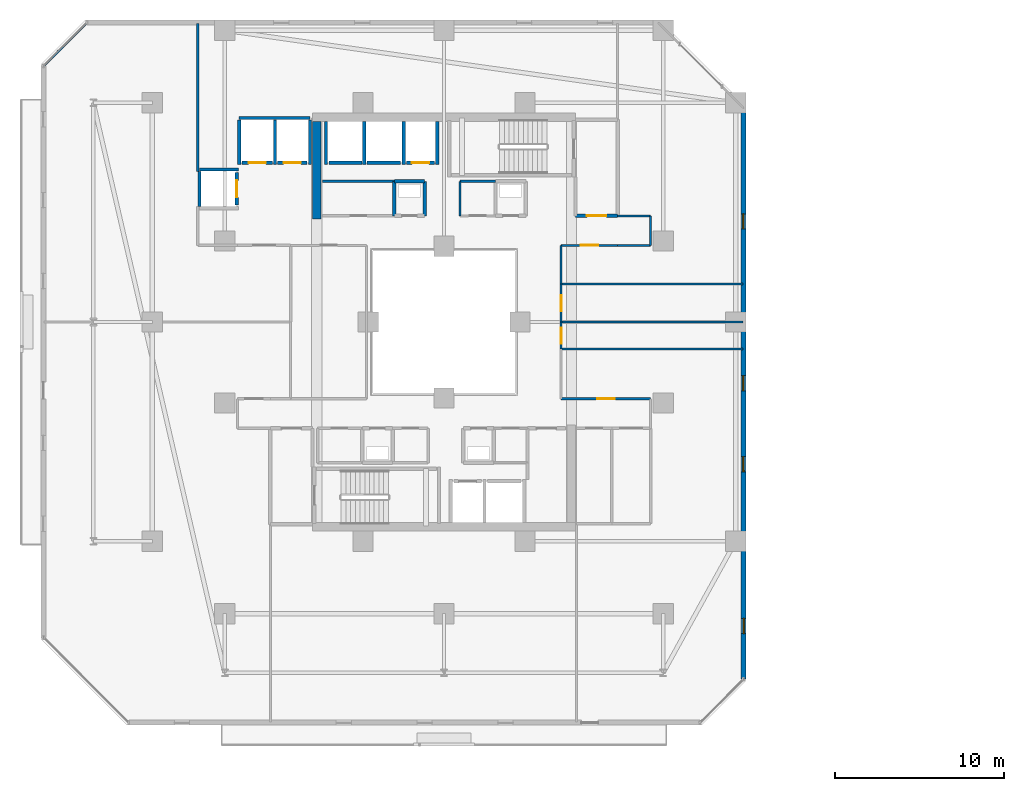
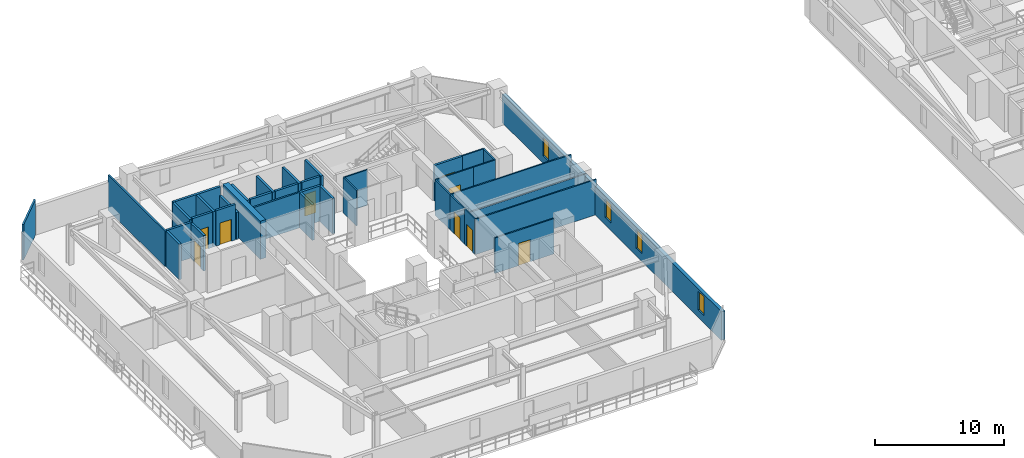
# One storey, part 20 of 33: 38 walls, 9 doors, 4 windows, 13 openings.
"""IFC4 building model written with IfcOpenShell, lengths in metres."""

from ifc_helpers import new_model, si_unit, direction, frame, frame_2d, origin, place, context, subcontext, project, spatial, rectangle, extrude, material, layer, layer_set, type_object, element, fill, save


model = new_model("IFC4")

# Units and contexts
model_context = context("Model", 3, precision=1e-05, world=origin(), true_north=direction((0.0, 1.0)))
body_context = subcontext(model_context, "Body", "Model", "MODEL_VIEW")
ifc_project = project(units=[si_unit("LENGTHUNIT", "METRE"), si_unit("AREAUNIT", "SQUARE_METRE"), si_unit("VOLUMEUNIT", "CUBIC_METRE"), si_unit("PLANEANGLEUNIT", "RADIAN"), si_unit("MASSUNIT", "GRAM", prefix="KILO")], contexts=[model_context])

# Site, building, storey
site_placement = place(None, origin())
site = spatial("IfcSite", under=ifc_project, at=site_placement, CompositionType="ELEMENT")
building_placement = place(site_placement, origin())
building = spatial("IfcBuilding", under=site, at=building_placement, Name="Thornwick Lancets Civic Towers", CompositionType="ELEMENT")
storey_placement = place(building_placement, frame((0.0, 0.0, 134.10009765625)))
storey = spatial("IfcBuildingStorey", under=building, at=storey_placement, Name="L35", CompositionType="ELEMENT", Elevation=134.10009765625)

# Wall, opening, door
ifc_material_1 = material(Name="Concrete blockwork C40/50", Category="masonry")
ifc_layer_1 = layer(ifc_material_1, 0.199951171875, Name="Concrete blockwork C40/50")
ifc_layer_set_1 = layer_set([ifc_layer_1], Name="Concrete blockwork C40/50")
wall_type_1 = type_object("IfcWallType", Name="WALL_COMP_200", PredefinedType="STANDARD", material=ifc_layer_set_1)
wall_1_placement = place(storey_placement, frame((24.919921875, 36.449951171875, 0.0), z_axis=(0.0, 0.0, 1.0), x_axis=(-1.0, 0.0, 0.0)))
wall_1 = element("IfcWall", 1, at=wall_1_placement, inside=storey, type_object=wall_type_1, Name="L35 Hoistway Front Wall FL-A2", PredefinedType="STANDARD", context=body_context, shape_type="SweptSolid", body=[
    extrude(rectangle(XDim=1.639892578125, YDim=0.199951171875, at=frame_2d((0.81982421875, 0.0))), origin(), (0.0, 0.0, 1.0), 3.33984375),
])
opening_1_placement = place(wall_1_placement, frame((0.31005859375, 0.0, 0.0)))
opening_1 = element("IfcOpeningElement", 2, at=opening_1_placement, cuts=wall_1, Name="Opening LD-FL-A2", PredefinedType="OPENING", context=body_context, shape_type="SweptSolid", body=[
    extrude(rectangle(XDim=1.02001953125, YDim=2.06005859375, at=frame_2d((0.510009765625, 1.030029296875))), frame((0.0, 0.10986328125, 0.0), z_axis=(0.0, -1.0, 0.0), x_axis=(1.0, 0.0, 0.0)), (0.0, 0.0, 1.0), 0.219970703125),
])
ifc_material_2 = material(Name="Brushed bronze stainless steel", Category="steel")
door_type_1 = type_object("IfcDoorType", Name="DOOR_LIFT_SLIDE", OperationType="SLIDING_TO_LEFT", PredefinedType="DOOR", material=ifc_material_2)
door_1_placement = place(opening_1_placement, origin())
door_1 = element("IfcDoor", 3, at=door_1_placement, inside=storey, type_object=door_type_1, Name="L35 Sliding Lift Landing Door LD-FL-A2", OperationType="SLIDING_TO_LEFT", OverallHeight=2.06005859375, OverallWidth=1.02001953125, PredefinedType="DOOR", context=body_context, shape_type="SweptSolid", body=[
    extrude(rectangle(XDim=1.02001953125, YDim=2.06005859375, at=frame_2d((0.510009765625, 1.030029296875))), frame((0.0, 0.02490234375, 0.0), z_axis=(0.0, -1.0, 0.0), x_axis=(1.0, 0.0, 0.0)), (0.0, 0.0, 1.0), 0.050048828125),
])
fill(opening_1, door_1)

# Walls
wall_2_placement = place(storey_placement, frame((22.919921875, 36.449951171875, 0.0), z_axis=(0.0, 0.0, 1.0), x_axis=(-1.0, 0.0, 0.0)))
element("IfcWall", 4, at=wall_2_placement, inside=storey, type_object=wall_type_1, Name="L35 Hoistway Front Wall PL-AH2", PredefinedType="STANDARD", context=body_context, shape_type="SweptSolid", body=[
    extrude(rectangle(XDim=1.989990234375, YDim=0.199951171875, at=frame_2d((0.9951171875, 0.0))), origin(), (0.0, 0.0, 1.0), 3.33984375),
])
wall_3_placement = place(storey_placement, frame((20.6201171875, 36.449951171875, 0.0), z_axis=(0.0, 0.0, 1.0), x_axis=(-1.0, 0.0, 0.0)))
element("IfcWall", 5, at=wall_3_placement, inside=storey, type_object=wall_type_1, Name="L35 Hoistway Front Wall PL-AH3", PredefinedType="STANDARD", context=body_context, shape_type="SweptSolid", body=[
    extrude(rectangle(XDim=1.940185546875, YDim=0.199951171875, at=frame_2d((0.97021484375, 0.0))), origin(), (0.0, 0.0, 1.0), 3.33984375),
])

# Wall, opening, door
wall_4_placement = place(storey_placement, frame((17.3701171875, 36.449951171875, 0.0), z_axis=(0.0, 0.0, 1.0), x_axis=(-1.0, 0.0, 0.0)))
wall_4 = element("IfcWall", 6, at=wall_4_placement, inside=storey, type_object=wall_type_1, Name="L35 Hoistway Front Wall PL-AM1", PredefinedType="STANDARD", context=body_context, shape_type="SweptSolid", body=[
    extrude(rectangle(XDim=1.740234375, YDim=0.199951171875, at=frame_2d((0.8701171875, 0.0))), origin(), (0.0, 0.0, 1.0), 3.33984375),
])
opening_2_placement = place(wall_4_placement, frame((0.360107421875, 0.0, 0.0)))
opening_2 = element("IfcOpeningElement", 7, at=opening_2_placement, cuts=wall_4, Name="Opening LD-PL-AM1", PredefinedType="OPENING", context=body_context, shape_type="SweptSolid", body=[
    extrude(rectangle(XDim=1.02001953125, YDim=2.06005859375, at=frame_2d((0.510009765625, 1.030029296875))), frame((0.0, 0.10986328125, 0.0), z_axis=(0.0, -1.0, 0.0), x_axis=(1.0, 0.0, 0.0)), (0.0, 0.0, 1.0), 0.219970703125),
])
door_2_placement = place(opening_2_placement, origin())
door_2 = element("IfcDoor", 8, at=door_2_placement, inside=storey, type_object=door_type_1, Name="L35 Sliding Lift Landing Door LD-PL-AM1", OperationType="SLIDING_TO_LEFT", OverallHeight=2.06005859375, OverallWidth=1.02001953125, PredefinedType="DOOR", context=body_context, shape_type="SweptSolid", body=[
    extrude(rectangle(XDim=1.02001953125, YDim=2.06005859375, at=frame_2d((0.510009765625, 1.030029296875))), frame((0.0, 0.02490234375, 0.0), z_axis=(0.0, -1.0, 0.0), x_axis=(1.0, 0.0, 0.0)), (0.0, 0.0, 1.0), 0.050048828125),
])
fill(opening_2, door_2)

wall_5_placement = place(storey_placement, frame((15.320068359375, 36.449951171875, 0.0), z_axis=(0.0, 0.0, 1.0), x_axis=(-1.0, 0.0, 0.0)))
wall_5 = element("IfcWall", 9, at=wall_5_placement, inside=storey, type_object=wall_type_1, Name="L35 Hoistway Front Wall PL-AM2", PredefinedType="STANDARD", context=body_context, shape_type="SweptSolid", body=[
    extrude(rectangle(XDim=1.7900390625, YDim=0.199951171875, at=frame_2d((0.89501953125, 0.0))), origin(), (0.0, 0.0, 1.0), 3.33984375),
])
opening_3_placement = place(wall_5_placement, frame((0.385009765625, 0.0, 0.0)))
opening_3 = element("IfcOpeningElement", 10, at=opening_3_placement, cuts=wall_5, Name="Opening LD-PL-AM2", PredefinedType="OPENING", context=body_context, shape_type="SweptSolid", body=[
    extrude(rectangle(XDim=1.02001953125, YDim=2.06005859375, at=frame_2d((0.510009765625, 1.030029296875))), frame((0.0, 0.10986328125, 0.0), z_axis=(0.0, -1.0, 0.0), x_axis=(1.0, 0.0, 0.0)), (0.0, 0.0, 1.0), 0.219970703125),
])
door_3_placement = place(opening_3_placement, origin())
door_3 = element("IfcDoor", 11, at=door_3_placement, inside=storey, type_object=door_type_1, Name="L35 Sliding Lift Landing Door LD-PL-AM2", OperationType="SLIDING_TO_LEFT", OverallHeight=2.06005859375, OverallWidth=1.02001953125, PredefinedType="DOOR", context=body_context, shape_type="SweptSolid", body=[
    extrude(rectangle(XDim=1.02001953125, YDim=2.06005859375, at=frame_2d((0.510009765625, 1.030029296875))), frame((0.0, 0.02490234375, 0.0), z_axis=(0.0, -1.0, 0.0), x_axis=(1.0, 0.0, 0.0)), (0.0, 0.0, 1.0), 0.050048828125),
])
fill(opening_3, door_3)

wall_6_placement = place(storey_placement, frame((13.199951171875, 33.929931640625, 0.0), z_axis=(0.0, 0.0, 1.0), x_axis=(0.0, 1.0, 0.0)))
wall_6 = element("IfcWall", 12, at=wall_6_placement, inside=storey, type_object=wall_type_1, Name="L35 Hoistway Front Wall PL-AM3", PredefinedType="STANDARD", context=body_context, shape_type="SweptSolid", body=[
    extrude(rectangle(XDim=1.940185546875, YDim=0.199951171875, at=frame_2d((0.97021484375, 0.0))), origin(), (0.0, 0.0, 1.0), 3.33984375),
])
opening_4_placement = place(wall_6_placement, frame((0.4599609375, 0.0, 0.0)))
opening_4 = element("IfcOpeningElement", 13, at=opening_4_placement, cuts=wall_6, Name="Opening LD-PL-AM3", PredefinedType="OPENING", context=body_context, shape_type="SweptSolid", body=[
    extrude(rectangle(XDim=1.02001953125, YDim=2.06005859375, at=frame_2d((0.510009765625, 1.030029296875))), frame((0.0, 0.10986328125, 0.0), z_axis=(0.0, -1.0, 0.0), x_axis=(1.0, 0.0, 0.0)), (0.0, 0.0, 1.0), 0.219970703125),
])
door_4_placement = place(opening_4_placement, origin())
door_4 = element("IfcDoor", 14, at=door_4_placement, inside=storey, type_object=door_type_1, Name="L35 Sliding Lift Landing Door LD-PL-AM3", OperationType="SLIDING_TO_LEFT", OverallHeight=2.06005859375, OverallWidth=1.02001953125, PredefinedType="DOOR", context=body_context, shape_type="SweptSolid", body=[
    extrude(rectangle(XDim=1.02001953125, YDim=2.06005859375, at=frame_2d((0.510009765625, 1.030029296875))), frame((0.0, 0.02490234375, 0.0), z_axis=(0.0, -1.0, 0.0), x_axis=(1.0, 0.0, 0.0)), (0.0, 0.0, 1.0), 0.050048828125),
])
fill(opening_4, door_4)

# Walls
for number, where, z_axis, x_axis, name in (
    (15, (25.10009765625, 36.35205078125, 0.0), (0.0, 0.0, 1.0), (0.0, 1.0, 0.0), "L35 Hoistway Shaft Wall FL-A2 E"),
    (16, (23.10009765625, 36.35205078125, 0.0), (0.0, 0.0, 1.0), (0.0, 1.0, 0.0), "L35 Hoistway Shaft Wall FL-A2 W"),
    (17, (20.77490234375, 36.35205078125, 0.0), (0.0, 0.0, 1.0), (0.0, 1.0, 0.0), "L35 Hoistway Shaft Wall PL-AH2 W"),
    (18, (18.5, 36.35205078125, 0.0), (0.0, 0.0, 1.0), (0.0, 1.0, 0.0), "L35 Hoistway Shaft Wall PL-AH3 W"),
):
    element("IfcWall", number, at=place(storey_placement, frame(where, z_axis=z_axis, x_axis=x_axis)), inside=storey, type_object=wall_type_1, Name=name, PredefinedType="STANDARD", context=body_context, shape_type="SweptSolid", body=[
        extrude(rectangle(XDim=2.535888671875, YDim=0.199951171875, at=frame_2d((1.26806640625, 0.0))), origin(), (0.0, 0.0, 1.0), 3.33984375),
    ])
wall_7_placement = place(storey_placement, frame((13.35205078125, 39.10009765625, 0.0), z_axis=(0.0, 0.0, 1.0), x_axis=(1.0, 0.0, 0.0)))
element("IfcWall", 19, at=wall_7_placement, inside=storey, type_object=wall_type_1, Name="L35 Hoistway Shaft Wall PL-AM1 N", PredefinedType="STANDARD", context=body_context, shape_type="SweptSolid", body=[
    extrude(rectangle(XDim=4.196044921875, YDim=0.199951171875, at=frame_2d((2.09814453125, 0.0))), origin(), (0.0, 0.0, 1.0), 3.33984375),
])
wall_8_placement = place(storey_placement, frame((17.550048828125, 36.35205078125, 0.0), z_axis=(0.0, 0.0, 1.0), x_axis=(0.0, 1.0, 0.0)))
element("IfcWall", 20, at=wall_8_placement, inside=storey, type_object=wall_type_1, Name="L35 Hoistway Shaft Wall PL-AM1 E", PredefinedType="STANDARD", context=body_context, shape_type="SweptSolid", body=[
    extrude(rectangle(XDim=2.635986328125, YDim=0.199951171875, at=frame_2d((1.31787109375, 0.0))), origin(), (0.0, 0.0, 1.0), 2.544921875),
])
for number, where, z_axis, x_axis, name in (
    (21, (15.47509765625, 36.35205078125, 0.0), (0.0, 0.0, 1.0), (0.0, 1.0, 0.0), "L35 Hoistway Shaft Wall PL-AM1 W"),
    (22, (13.35009765625, 36.35205078125, 0.0), (0.0, 0.0, 1.0), (0.0, 1.0, 0.0), "L35 Hoistway Shaft Wall PL-AM2 W"),
):
    element("IfcWall", number, at=place(storey_placement, frame(where, z_axis=z_axis, x_axis=x_axis)), inside=storey, type_object=wall_type_1, Name=name, PredefinedType="STANDARD", context=body_context, shape_type="SweptSolid", body=[
        extrude(rectangle(XDim=2.635986328125, YDim=0.199951171875, at=frame_2d((1.31787109375, 0.0))), origin(), (0.0, 0.0, 1.0), 3.33984375),
    ])
wall_9_placement = place(storey_placement, frame((11.001953125, 36.050048828125, 0.0), z_axis=(0.0, 0.0, 1.0), x_axis=(1.0, 0.0, 0.0)))
element("IfcWall", 23, at=wall_9_placement, inside=storey, type_object=wall_type_1, Name="L35 Hoistway Shaft Wall PL-AM3 N", PredefinedType="STANDARD", context=body_context, shape_type="SweptSolid", body=[
    extrude(rectangle(XDim=2.296142578125, YDim=0.199951171875, at=frame_2d((1.14794921875, 0.0))), origin(), (0.0, 0.0, 1.0), 3.33984375),
])
wall_10_placement = place(storey_placement, frame((11.0, 33.862060546875, 0.0), z_axis=(0.0, 0.0, 1.0), x_axis=(0.0, 1.0, 0.0)))
element("IfcWall", 24, at=wall_10_placement, inside=storey, type_object=wall_type_1, Name="L35 Hoistway Shaft Wall PL-AM3 W", PredefinedType="STANDARD", context=body_context, shape_type="SweptSolid", body=[
    extrude(rectangle(XDim=2.075927734375, YDim=0.199951171875, at=frame_2d((1.0380859375, 0.0))), origin(), (0.0, 0.0, 1.0), 3.33984375),
])

# Wall, opening, door
wall_11_placement = place(storey_placement, frame((33.300048828125, 33.300048828125, 0.0), z_axis=(0.0, 0.0, 1.0), x_axis=(1.0, 0.0, 0.0)))
wall_11 = element("IfcWall", 25, at=wall_11_placement, inside=storey, type_object=wall_type_1, Name="L35 Partition L35-A-FFLOB2 E1", PredefinedType="STANDARD", context=body_context, shape_type="SweptSolid", body=[
    extrude(rectangle(XDim=2.5, YDim=0.199951171875, at=frame_2d((1.25, 0.0))), origin(), (0.0, 0.0, 1.0), 3.33984375),
])
opening_5_placement = place(wall_11_placement, frame((0.675048828125, 0.0, 0.0)))
opening_5 = element("IfcOpeningElement", 26, at=opening_5_placement, cuts=wall_11, Name="Opening D-L35-1576", PredefinedType="OPENING", context=body_context, shape_type="SweptSolid", body=[
    extrude(rectangle(XDim=1.14990234375, YDim=2.10009765625, at=frame_2d((0.574951171875, 1.050048828125))), frame((0.0, 0.10986328125, 0.0), z_axis=(0.0, -1.0, 0.0), x_axis=(1.0, 0.0, 0.0)), (0.0, 0.0, 1.0), 0.219970703125),
])
ifc_material_3 = material(Name="Glazed fire-resisting steel", Category="steel")
door_type_2 = type_object("IfcDoorType", Name="DOOR_LOBBY_FD60", OperationType="NOTDEFINED", PredefinedType="DOOR", material=ifc_material_3)
door_5_placement = place(opening_5_placement, origin())
door_5 = element("IfcDoor", 27, at=door_5_placement, inside=storey, type_object=door_type_2, Name="L35 North Firefighting Lobby 2 Door", OperationType="SINGLE_SWING_LEFT", OverallHeight=2.10009765625, OverallWidth=1.14990234375, PredefinedType="DOOR", context=body_context, shape_type="SweptSolid", body=[
    extrude(rectangle(XDim=1.14990234375, YDim=2.10009765625, at=frame_2d((0.574951171875, 1.050048828125))), frame((0.0, 0.02490234375, 0.0), z_axis=(0.0, -1.0, 0.0), x_axis=(1.0, 0.0, 0.0)), (0.0, 0.0, 1.0), 0.050048828125),
])
fill(opening_5, door_5)

# Walls
wall_12_placement = place(storey_placement, frame((24.35009765625, 33.300048828125, 0.0), z_axis=(0.0, 0.0, 1.0), x_axis=(0.0, 1.0, 0.0)))
element("IfcWall", 28, at=wall_12_placement, inside=storey, type_object=wall_type_1, Name="L35 Partition L35-A-DUCT2 E2", PredefinedType="STANDARD", context=body_context, shape_type="SweptSolid", body=[
    extrude(rectangle(XDim=2.050048828125, YDim=0.199951171875, at=frame_2d((1.02490234375, 0.0))), origin(), (0.0, 0.0, 1.0), 3.33984375),
])
wall_13_placement = place(storey_placement, frame((24.35009765625, 35.35009765625, 0.0), z_axis=(0.0, 0.0, 1.0), x_axis=(-1.0, 0.0, 0.0)))
element("IfcWall", 29, at=wall_13_placement, inside=storey, type_object=wall_type_1, Name="L35 Partition L35-A-DUCT2 E3", PredefinedType="STANDARD", context=body_context, shape_type="SweptSolid", body=[
    extrude(rectangle(XDim=1.800048828125, YDim=0.199951171875, at=frame_2d((0.89990234375, 0.0))), origin(), (0.0, 0.0, 1.0), 3.33984375),
])
wall_14_placement = place(storey_placement, frame((22.550048828125, 35.35009765625, 0.0), z_axis=(0.0, 0.0, 1.0), x_axis=(0.0, -1.0, 0.0)))
element("IfcWall", 30, at=wall_14_placement, inside=storey, type_object=wall_type_1, Name="L35 Partition L35-A-DUCT2 E4", PredefinedType="STANDARD", context=body_context, shape_type="SweptSolid", body=[
    extrude(rectangle(XDim=2.050048828125, YDim=0.199951171875, at=frame_2d((1.02490234375, 0.0))), origin(), (0.0, 0.0, 1.0), 3.33984375),
])
ifc_material_4 = material(Name="Concrete C50/60", Category="concrete")
ifc_layer_2 = layer(ifc_material_4, 0.5, Name="Concrete C50/60")
ifc_layer_set_2 = layer_set([ifc_layer_2], Name="Concrete C50/60")
wall_type_2 = type_object("IfcWallType", Name="WALL_CORE_500", PredefinedType="SHEAR", material=ifc_layer_set_2)
wall_15_placement = place(storey_placement, frame((17.949951171875, 33.10009765625, 0.0), z_axis=(0.0, 0.0, 1.0), x_axis=(0.0, 1.0, 0.0)))
element("IfcWall", 31, at=wall_15_placement, inside=storey, type_object=wall_type_2, Name="L35 Split Core A2 Shear Wall W", PredefinedType="SHEAR", context=body_context, shape_type="SweptSolid", body=[
    extrude(rectangle(XDim=5.7998046875, YDim=0.5, at=frame_2d((2.89990234375, 0.0))), origin(), (0.0, 0.0, 1.0), 3.599853515625),
])

# Wall, openings, windows
ifc_material_5 = material(Name="Insulated russet terracotta rainscreen on concrete C40/50", Category="masonry")
ifc_layer_3 = layer(ifc_material_5, 0.300048828125, Name="Insulated russet terracotta rainscreen on concrete C40/50")
ifc_layer_set_3 = layer_set([ifc_layer_3], Name="Insulated russet terracotta rainscreen on concrete C40/50")
wall_type_3 = type_object("IfcWallType", Name="WALL_EXT_RUSSET_300", PredefinedType="STANDARD", material=ifc_layer_set_3)
wall_16_placement = place(storey_placement, frame((43.2646484375, 5.818603515625, 0.0), z_axis=(0.0, 0.0, 1.0), x_axis=(-0.000244999128, 0.999999969988, 0.0)))
wall_16 = element("IfcWall", 32, at=wall_16_placement, inside=storey, type_object=wall_type_3, Name="L35 Tower A Terracotta Facade Wall E2", PredefinedType="STANDARD", context=body_context, shape_type="SweptSolid", body=[
    extrude(rectangle(XDim=33.880859375, YDim=0.300048828125, at=frame_2d((16.9404296875, 0.0))), origin(), (0.0, 0.0, 1.0), 2.699951171875),
])
opening_6_placement = place(wall_16_placement, frame((2.699951171875, 0.0, 0.719970703125)))
opening_6 = element("IfcOpeningElement", 33, at=opening_6_placement, cuts=wall_16, Name="Opening WL-01", PredefinedType="OPENING", context=body_context, shape_type="SweptSolid", body=[
    extrude(rectangle(XDim=0.89990234375, YDim=1.75, at=frame_2d((0.449951171875, 0.875))), frame((0.0, 0.16015625, 0.0), z_axis=(0.0, -1.0, 0.0), x_axis=(1.0, 0.0, 0.0)), (0.0, 0.0, 1.0), 0.320068359375),
])
opening_7_placement = place(wall_16_placement, frame((12.300048828125, 0.0, 0.719970703125)))
opening_7 = element("IfcOpeningElement", 34, at=opening_7_placement, cuts=wall_16, Name="Opening WL-01", PredefinedType="OPENING", context=body_context, shape_type="SweptSolid", body=[
    extrude(rectangle(XDim=0.89990234375, YDim=1.75, at=frame_2d((0.449951171875, 0.875))), frame((0.0, 0.16015625, 0.0), z_axis=(0.0, -1.0, 0.0), x_axis=(1.0, 0.0, 0.0)), (0.0, 0.0, 1.0), 0.320068359375),
])
opening_8_placement = place(wall_16_placement, frame((17.10009765625, 0.0, 0.719970703125)))
opening_8 = element("IfcOpeningElement", 35, at=opening_8_placement, cuts=wall_16, Name="Opening WL-01", PredefinedType="OPENING", context=body_context, shape_type="SweptSolid", body=[
    extrude(rectangle(XDim=0.89990234375, YDim=1.75, at=frame_2d((0.449951171875, 0.875))), frame((0.0, 0.16015625, 0.0), z_axis=(0.0, -1.0, 0.0), x_axis=(1.0, 0.0, 0.0)), (0.0, 0.0, 1.0), 0.320068359375),
])
opening_9_placement = place(wall_16_placement, frame((26.699951171875, 0.0, 0.719970703125)))
opening_9 = element("IfcOpeningElement", 36, at=opening_9_placement, cuts=wall_16, Name="Opening WL-01", PredefinedType="OPENING", context=body_context, shape_type="SweptSolid", body=[
    extrude(rectangle(XDim=0.89990234375, YDim=1.75, at=frame_2d((0.449951171875, 0.875))), frame((0.0, 0.16015625, 0.0), z_axis=(0.0, -1.0, 0.0), x_axis=(1.0, 0.0, 0.0)), (0.0, 0.0, 1.0), 0.320068359375),
])
ifc_material_6 = material(Name="Clear low-e double glazing in bronze frame", Category="glass")
window_type = type_object("IfcWindowType", Name="WIN_LANCET_900", PartitioningType="SINGLE_PANEL", PredefinedType="WINDOW", material=ifc_material_6)
window_1_placement = place(opening_6_placement, origin())
window_1 = element("IfcWindow", 37, at=window_1_placement, inside=storey, type_object=window_type, Name="L35 Tower A Staggered Lancet Window E2-1", OverallHeight=1.75, OverallWidth=0.89990234375, PartitioningType="SINGLE_PANEL", PredefinedType="WINDOW", context=body_context, shape_type="SweptSolid", body=[
    extrude(rectangle(XDim=0.89990234375, YDim=1.75, at=frame_2d((0.449951171875, 0.875))), frame((0.0, 0.030029296875, 0.0), z_axis=(0.0, -1.0, 0.0), x_axis=(1.0, 0.0, 0.0)), (0.0, 0.0, 1.0), 0.06005859375),
])
fill(opening_6, window_1)
window_2_placement = place(opening_7_placement, origin())
window_2 = element("IfcWindow", 38, at=window_2_placement, inside=storey, type_object=window_type, Name="L35 Tower A Staggered Lancet Window E2-2", OverallHeight=1.75, OverallWidth=0.89990234375, PartitioningType="SINGLE_PANEL", PredefinedType="WINDOW", context=body_context, shape_type="SweptSolid", body=[
    extrude(rectangle(XDim=0.89990234375, YDim=1.75, at=frame_2d((0.449951171875, 0.875))), frame((0.0, 0.030029296875, 0.0), z_axis=(0.0, -1.0, 0.0), x_axis=(1.0, 0.0, 0.0)), (0.0, 0.0, 1.0), 0.06005859375),
])
fill(opening_7, window_2)
window_3_placement = place(opening_8_placement, origin())
window_3 = element("IfcWindow", 39, at=window_3_placement, inside=storey, type_object=window_type, Name="L35 Tower A Staggered Lancet Window E2-3", OverallHeight=1.75, OverallWidth=0.89990234375, PartitioningType="SINGLE_PANEL", PredefinedType="WINDOW", context=body_context, shape_type="SweptSolid", body=[
    extrude(rectangle(XDim=0.89990234375, YDim=1.75, at=frame_2d((0.449951171875, 0.875))), frame((0.0, 0.030029296875, 0.0), z_axis=(0.0, -1.0, 0.0), x_axis=(1.0, 0.0, 0.0)), (0.0, 0.0, 1.0), 0.06005859375),
])
fill(opening_8, window_3)
window_4_placement = place(opening_9_placement, origin())
window_4 = element("IfcWindow", 40, at=window_4_placement, inside=storey, type_object=window_type, Name="L35 Tower A Staggered Lancet Window E2-4", OverallHeight=1.75, OverallWidth=0.89990234375, PartitioningType="SINGLE_PANEL", PredefinedType="WINDOW", context=body_context, shape_type="SweptSolid", body=[
    extrude(rectangle(XDim=0.89990234375, YDim=1.75, at=frame_2d((0.449951171875, 0.875))), frame((0.0, 0.030029296875, 0.0), z_axis=(0.0, -1.0, 0.0), x_axis=(1.0, 0.0, 0.0)), (0.0, 0.0, 1.0), 0.06005859375),
])
fill(opening_9, window_4)

# Walls
ifc_material_7 = material(Name="Acoustic gypsum board partition")
ifc_layer_4 = layer(ifc_material_7, 0.1201171875, Name="Acoustic gypsum board partition")
ifc_layer_set_4 = layer_set([ifc_layer_4], Name="Acoustic gypsum board partition")
wall_type_4 = type_object("IfcWallType", Name="WALL_PART_120", PredefinedType="PARTITIONING", material=ifc_layer_set_4)
wall_17_placement = place(storey_placement, frame((26.449951171875, 33.300048828125, 0.0), z_axis=(0.0, 0.0, 1.0), x_axis=(0.0, 1.0, 0.0)))
element("IfcWall", 41, at=wall_17_placement, inside=storey, type_object=wall_type_4, Name="L35 Partition L35-A-ITR E1", PredefinedType="PARTITIONING", context=body_context, shape_type="SweptSolid", body=[
    extrude(rectangle(XDim=2.050048828125, YDim=0.1201171875, at=frame_2d((1.02490234375, 0.0))), origin(), (0.0, 0.0, 1.0), 3.33984375),
])
wall_18_placement = place(storey_placement, frame((26.449951171875, 35.35009765625, 0.0), z_axis=(0.0, 0.0, 1.0), x_axis=(1.0, 0.0, 0.0)))
element("IfcWall", 42, at=wall_18_placement, inside=storey, type_object=wall_type_4, Name="L35 Partition L35-A-ITR E2", PredefinedType="PARTITIONING", context=body_context, shape_type="SweptSolid", body=[
    extrude(rectangle(XDim=2.10009765625, YDim=0.1201171875, at=frame_2d((1.050048828125, 0.0))), origin(), (0.0, 0.0, 1.0), 3.33984375),
])

# Wall, opening, door
wall_19_placement = place(storey_placement, frame((37.75, 22.449951171875, 0.0), z_axis=(0.0, 0.0, 1.0), x_axis=(-1.0, 0.0, 0.0)))
wall_19 = element("IfcWall", 43, at=wall_19_placement, inside=storey, type_object=wall_type_4, Name="L35 Partition L35-A-E1 E7", PredefinedType="PARTITIONING", context=body_context, shape_type="SweptSolid", body=[
    extrude(rectangle(XDim=5.300048828125, YDim=0.1201171875, at=frame_2d((2.64990234375, 0.0))), origin(), (0.0, 0.0, 1.0), 3.33984375),
])
opening_10_placement = place(wall_19_placement, frame((2.125, 0.0, 0.0)))
opening_10 = element("IfcOpeningElement", 44, at=opening_10_placement, cuts=wall_19, Name="Opening D-L35-1604", PredefinedType="OPENING", context=body_context, shape_type="SweptSolid", body=[
    extrude(rectangle(XDim=1.050048828125, YDim=2.10009765625, at=frame_2d((0.52490234375, 1.050048828125))), frame((0.0, 0.070068359375, 0.0), z_axis=(0.0, -1.0, 0.0), x_axis=(1.0, 0.0, 0.0)), (0.0, 0.0, 1.0), 0.14013671875),
])
ifc_material_8 = material(Name="Glazed European oak executive doorset")
door_type_3 = type_object("IfcDoorType", Name="DOOR_OFFICE_1050", OperationType="NOTDEFINED", PredefinedType="DOOR", material=ifc_material_8)
door_6_placement = place(opening_10_placement, origin())
door_6 = element("IfcDoor", 45, at=door_6_placement, inside=storey, type_object=door_type_3, Name="L35 Tower A Secretariat Open Office E1 Door", OperationType="SINGLE_SWING_LEFT", OverallHeight=2.10009765625, OverallWidth=1.050048828125, PredefinedType="DOOR", context=body_context, shape_type="SweptSolid", body=[
    extrude(rectangle(XDim=1.050048828125, YDim=2.10009765625, at=frame_2d((0.52490234375, 1.050048828125))), frame((0.0, 0.02490234375, 0.0), z_axis=(0.0, -1.0, 0.0), x_axis=(1.0, 0.0, 0.0)), (0.0, 0.0, 1.0), 0.050048828125),
])
fill(opening_10, door_6)

# Wall
wall_20_placement = place(storey_placement, frame((32.449951171875, 25.39990234375, 0.0), z_axis=(0.0, 0.0, 1.0), x_axis=(1.0, 0.0, 0.0)))
element("IfcWall", 46, at=wall_20_placement, inside=storey, type_object=wall_type_4, Name="L35 Partition L35-A-E1 E9", PredefinedType="PARTITIONING", context=body_context, shape_type="SweptSolid", body=[
    extrude(rectangle(XDim=10.77001953125, YDim=0.1201171875, at=frame_2d((5.385009765625, 0.0))), origin(), (0.0, 0.0, 1.0), 3.33984375),
])

# Wall, opening, door
wall_21_placement = place(storey_placement, frame((32.449951171875, 25.39990234375, 0.0), z_axis=(0.0, 0.0, 1.0), x_axis=(0.0, 1.0, 0.0)))
wall_21 = element("IfcWall", 47, at=wall_21_placement, inside=storey, type_object=wall_type_4, Name="L35 Partition L35-A-E2 E1", PredefinedType="PARTITIONING", context=body_context, shape_type="SweptSolid", body=[
    extrude(rectangle(XDim=1.60009765625, YDim=0.1201171875, at=frame_2d((0.800048828125, 0.0))), origin(), (0.0, 0.0, 1.0), 3.33984375),
])
opening_11_placement = place(wall_21_placement, frame((0.324951171875, 0.0, 0.0)))
opening_11 = element("IfcOpeningElement", 48, at=opening_11_placement, cuts=wall_21, Name="Opening D-L35-1605", PredefinedType="OPENING", context=body_context, shape_type="SweptSolid", body=[
    extrude(rectangle(XDim=0.949951171875, YDim=2.10009765625, at=frame_2d((0.47509765625, 1.050048828125))), frame((0.0, 0.070068359375, 0.0), z_axis=(0.0, -1.0, 0.0), x_axis=(1.0, 0.0, 0.0)), (0.0, 0.0, 1.0), 0.14013671875),
])
ifc_material_9 = material(Name="European oak acoustic doorset")
door_type_4 = type_object("IfcDoorType", Name="DOOR_OFFICE_950", OperationType="NOTDEFINED", PredefinedType="DOOR", material=ifc_material_9)
door_7_placement = place(opening_11_placement, origin())
door_7 = element("IfcDoor", 49, at=door_7_placement, inside=storey, type_object=door_type_4, Name="L35 Tower A Visitors Reception and Waiting Door", OperationType="SINGLE_SWING_RIGHT", OverallHeight=2.10009765625, OverallWidth=0.949951171875, PredefinedType="DOOR", context=body_context, shape_type="SweptSolid", body=[
    extrude(rectangle(XDim=0.949951171875, YDim=2.10009765625, at=frame_2d((0.47509765625, 1.050048828125))), frame((0.0, 0.02490234375, 0.0), z_axis=(0.0, -1.0, 0.0), x_axis=(1.0, 0.0, 0.0)), (0.0, 0.0, 1.0), 0.050048828125),
])
fill(opening_11, door_7)

# Wall
wall_22_placement = place(storey_placement, frame((32.449951171875, 27.0, 0.0), z_axis=(0.0, 0.0, 1.0), x_axis=(1.0, 0.0, 0.0)))
element("IfcWall", 50, at=wall_22_placement, inside=storey, type_object=wall_type_4, Name="L35 Partition L35-A-E2 E2", PredefinedType="PARTITIONING", context=body_context, shape_type="SweptSolid", body=[
    extrude(rectangle(XDim=10.77001953125, YDim=0.1201171875, at=frame_2d((5.385009765625, 0.0))), origin(), (0.0, 0.0, 1.0), 2.877685546875),
])

# Wall, opening, door
wall_23_placement = place(storey_placement, frame((32.449951171875, 27.0, 0.0), z_axis=(0.0, 0.0, 1.0), x_axis=(0.0, 1.0, 0.0)))
wall_23 = element("IfcWall", 51, at=wall_23_placement, inside=storey, type_object=wall_type_4, Name="L35 Partition L35-A-E3 E1", PredefinedType="PARTITIONING", context=body_context, shape_type="SweptSolid", body=[
    extrude(rectangle(XDim=2.25, YDim=0.1201171875, at=frame_2d((1.125, 0.0))), origin(), (0.0, 0.0, 1.0), 3.33984375),
])
opening_12_placement = place(wall_23_placement, frame((0.64990234375, 0.0, 0.0)))
opening_12 = element("IfcOpeningElement", 52, at=opening_12_placement, cuts=wall_23, Name="Opening D-L35-1606", PredefinedType="OPENING", context=body_context, shape_type="SweptSolid", body=[
    extrude(rectangle(XDim=0.949951171875, YDim=2.10009765625, at=frame_2d((0.47509765625, 1.050048828125))), frame((0.0, 0.070068359375, 0.0), z_axis=(0.0, -1.0, 0.0), x_axis=(1.0, 0.0, 0.0)), (0.0, 0.0, 1.0), 0.14013671875),
])
door_8_placement = place(opening_12_placement, origin())
door_8 = element("IfcDoor", 53, at=door_8_placement, inside=storey, type_object=door_type_4, Name="L35 Tower A Civic Seminar Room Door", OperationType="SINGLE_SWING_LEFT", OverallHeight=2.10009765625, OverallWidth=0.949951171875, PredefinedType="DOOR", context=body_context, shape_type="SweptSolid", body=[
    extrude(rectangle(XDim=0.949951171875, YDim=2.10009765625, at=frame_2d((0.47509765625, 1.050048828125))), frame((0.0, 0.02490234375, 0.0), z_axis=(0.0, -1.0, 0.0), x_axis=(1.0, 0.0, 0.0)), (0.0, 0.0, 1.0), 0.050048828125),
])
fill(opening_12, door_8)

# Wall
wall_24_placement = place(storey_placement, frame((32.449951171875, 29.25, 0.0), z_axis=(0.0, 0.0, 1.0), x_axis=(1.0, 0.0, 0.0)))
element("IfcWall", 54, at=wall_24_placement, inside=storey, type_object=wall_type_4, Name="L35 Partition L35-A-E3 E2", PredefinedType="PARTITIONING", context=body_context, shape_type="SweptSolid", body=[
    extrude(rectangle(XDim=10.77001953125, YDim=0.1201171875, at=frame_2d((5.385009765625, 0.0))), origin(), (0.0, 0.0, 1.0), 3.33984375),
])

# Wall, opening, door
wall_25_placement = place(storey_placement, frame((32.449951171875, 31.550048828125, 0.0), z_axis=(0.0, 0.0, 1.0), x_axis=(1.0, 0.0, 0.0)))
wall_25 = element("IfcWall", 55, at=wall_25_placement, inside=storey, type_object=wall_type_4, Name="L35 Partition L35-A-E4 E1", PredefinedType="PARTITIONING", context=body_context, shape_type="SweptSolid", body=[
    extrude(rectangle(XDim=3.35009765625, YDim=0.1201171875, at=frame_2d((1.675048828125, 0.0))), origin(), (0.0, 0.0, 1.0), 3.33984375),
])
opening_13_placement = place(wall_25_placement, frame((1.14990234375, 0.0, 0.0)))
opening_13 = element("IfcOpeningElement", 56, at=opening_13_placement, cuts=wall_25, Name="Opening D-L35-1607", PredefinedType="OPENING", context=body_context, shape_type="SweptSolid", body=[
    extrude(rectangle(XDim=1.050048828125, YDim=2.10009765625, at=frame_2d((0.52490234375, 1.050048828125))), frame((0.0, 0.070068359375, 0.0), z_axis=(0.0, -1.0, 0.0), x_axis=(1.0, 0.0, 0.0)), (0.0, 0.0, 1.0), 0.14013671875),
])
door_9_placement = place(opening_13_placement, origin())
door_9 = element("IfcDoor", 57, at=door_9_placement, inside=storey, type_object=door_type_3, Name="L35 Tower A Counsel Chambers Office E4 Door", OperationType="SINGLE_SWING_RIGHT", OverallHeight=2.10009765625, OverallWidth=1.050048828125, PredefinedType="DOOR", context=body_context, shape_type="SweptSolid", body=[
    extrude(rectangle(XDim=1.050048828125, YDim=2.10009765625, at=frame_2d((0.52490234375, 1.050048828125))), frame((0.0, 0.02490234375, 0.0), z_axis=(0.0, -1.0, 0.0), x_axis=(1.0, 0.0, 0.0)), (0.0, 0.0, 1.0), 0.050048828125),
])
fill(opening_13, door_9)

# Walls
wall_26_placement = place(storey_placement, frame((35.800048828125, 31.550048828125, 0.0), z_axis=(0.0, 0.0, 1.0), x_axis=(1.0, 0.0, 0.0)))
element("IfcWall", 58, at=wall_26_placement, inside=storey, type_object=wall_type_4, Name="L35 Partition L35-A-E4 E2", PredefinedType="PARTITIONING", context=body_context, shape_type="SweptSolid", body=[
    extrude(rectangle(XDim=1.949951171875, YDim=0.1201171875, at=frame_2d((0.97509765625, 0.0))), origin(), (0.0, 0.0, 1.0), 3.33984375),
])
wall_27_placement = place(storey_placement, frame((37.75, 31.550048828125, 0.0), z_axis=(0.0, 0.0, 1.0), x_axis=(0.0, 1.0, 0.0)))
element("IfcWall", 59, at=wall_27_placement, inside=storey, type_object=wall_type_4, Name="L35 Partition L35-A-E4 E3", PredefinedType="PARTITIONING", context=body_context, shape_type="SweptSolid", body=[
    extrude(rectangle(XDim=1.75, YDim=0.1201171875, at=frame_2d((0.875, 0.0))), origin(), (0.0, 0.0, 1.0), 3.33984375),
])
wall_28_placement = place(storey_placement, frame((37.75, 33.300048828125, 0.0), z_axis=(0.0, 0.0, 1.0), x_axis=(-1.0, 0.0, 0.0)))
element("IfcWall", 60, at=wall_28_placement, inside=storey, type_object=wall_type_4, Name="L35 Partition L35-A-E4 E4", PredefinedType="PARTITIONING", context=body_context, shape_type="SweptSolid", body=[
    extrude(rectangle(XDim=1.949951171875, YDim=0.1201171875, at=frame_2d((0.97509765625, 0.0))), origin(), (0.0, 0.0, 1.0), 3.33984375),
])
wall_29_placement = place(storey_placement, frame((32.449951171875, 29.25, 0.0), z_axis=(0.0, 0.0, 1.0), x_axis=(0.0, 1.0, 0.0)))
element("IfcWall", 61, at=wall_29_placement, inside=storey, type_object=wall_type_4, Name="L35 Partition L35-A-E4 E11", PredefinedType="PARTITIONING", context=body_context, shape_type="SweptSolid", body=[
    extrude(rectangle(XDim=2.300048828125, YDim=0.1201171875, at=frame_2d((1.14990234375, 0.0))), origin(), (0.0, 0.0, 1.0), 3.33984375),
])
ifc_material_10 = material(Name="Twin-stud acoustic gypsum board")
ifc_layer_5 = layer(ifc_material_10, 0.14990234375, Name="Twin-stud acoustic gypsum board")
ifc_layer_set_5 = layer_set([ifc_layer_5], Name="Twin-stud acoustic gypsum board")
wall_type_5 = type_object("IfcWallType", Name="WALL_PART_150", PredefinedType="PARTITIONING", material=ifc_layer_set_5)
wall_30_placement = place(storey_placement, frame((18.300048828125, 35.35009765625, 0.0), z_axis=(0.0, 0.0, 1.0), x_axis=(1.0, 0.0, 0.0)))
element("IfcWall", 62, at=wall_30_placement, inside=storey, type_object=wall_type_5, Name="L35 Partition L35-A-FWC E2", PredefinedType="PARTITIONING", context=body_context, shape_type="SweptSolid", body=[
    extrude(rectangle(XDim=4.25, YDim=0.14990234375, at=frame_2d((2.125, 0.0))), origin(), (0.0, 0.0, 1.0), 3.33984375),
])
wall_31_placement = place(storey_placement, frame((1.780029296875, 42.225341796875, 0.0), z_axis=(0.0, 0.0, 1.0), x_axis=(0.707106781187, 0.707106781187, 0.0)))
element("IfcWall", 63, at=wall_31_placement, inside=storey, type_object=wall_type_5, Name="L35 Partition L35-A-W2 E5", PredefinedType="PARTITIONING", context=body_context, shape_type="SweptSolid", body=[
    extrude(rectangle(XDim=3.52783203125, YDim=0.14990234375, at=frame_2d((1.763916015625, 0.0))), origin(), (0.0, 0.0, 1.0), 3.33984375),
])
wall_32_placement = place(storey_placement, frame((10.89990234375, 44.719970703125, 0.0), z_axis=(0.0, 0.0, 1.0), x_axis=(0.0, -1.0, 0.0)))
element("IfcWall", 64, at=wall_32_placement, inside=storey, type_object=wall_type_5, Name="L35 Partition L35-A-W2 E7", PredefinedType="PARTITIONING", context=body_context, shape_type="SweptSolid", body=[
    extrude(rectangle(XDim=8.781982421875, YDim=0.14990234375, at=frame_2d((4.39111328125, 0.0))), origin(), (0.0, 0.0, 1.0), 3.33984375),
])

save(model, "model.ifc")
